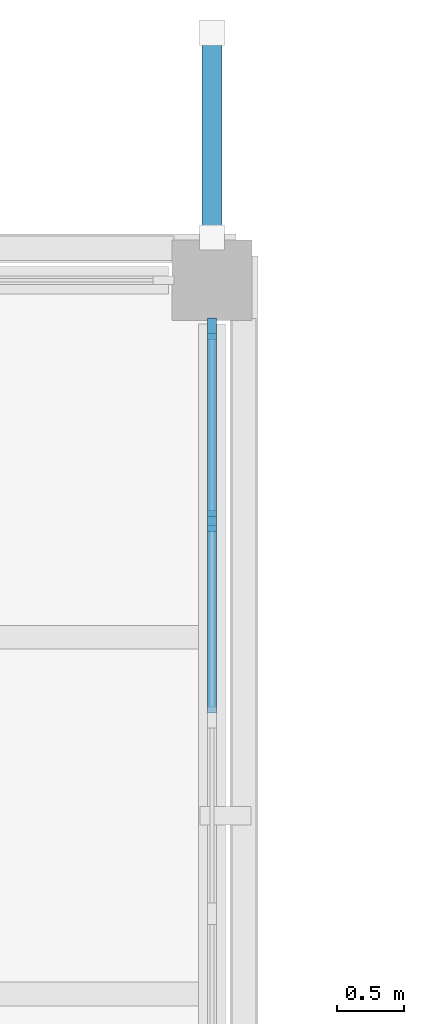
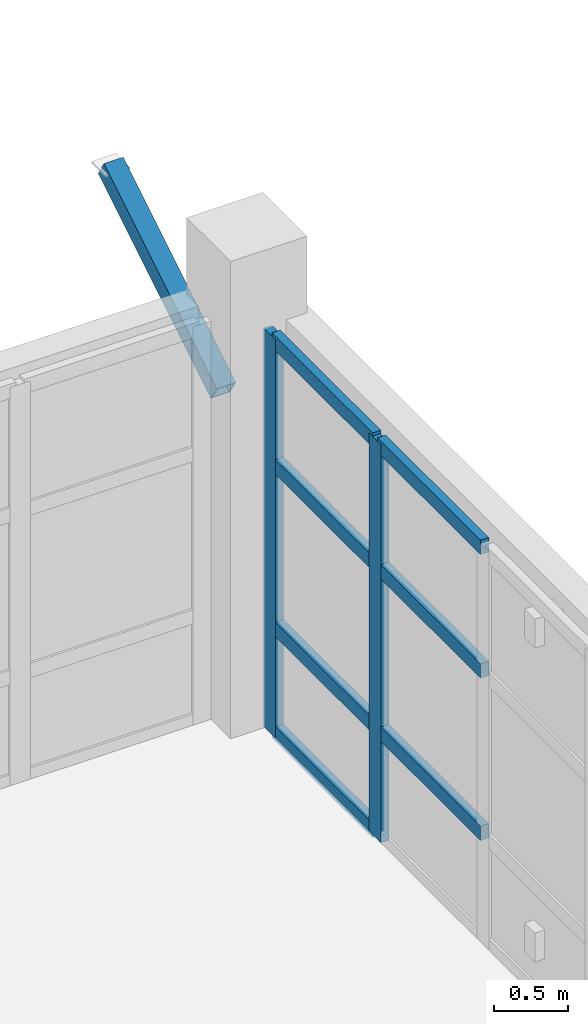
# One storey, part 8 of 35: 10 members, 1 element without a shape of its own.
"""IFC4 building model written with IfcOpenShell, lengths in metres."""

from ifc_helpers import new_model, si_unit, derived_unit, direction, frame, origin, origin_2d, place, context, subcontext, project, spatial, rectangle, hollow_rectangle, extrude, material, layer, layer_set, material_profile, profile_set, type_object, element, aggregate, save


model = new_model("IFC4")

# Units and contexts
model_context = context("Model", 3, precision=1e-05, world=origin(), true_north=direction((0.0, 1.0)))
body_context = subcontext(model_context, "Body", "Model", "MODEL_VIEW")
ifc_project = project(units=[si_unit("LENGTHUNIT", "METRE"), si_unit("AREAUNIT", "SQUARE_METRE"), si_unit("VOLUMEUNIT", "CUBIC_METRE"), si_unit("PLANEANGLEUNIT", "RADIAN"), si_unit("MASSUNIT", "GRAM", prefix="KILO"), derived_unit("THERMALTRANSMITTANCEUNIT", [(si_unit("MASSUNIT", "GRAM", prefix="KILO"), 1), (si_unit("TIMEUNIT", "SECOND"), -3), (si_unit("THERMODYNAMICTEMPERATUREUNIT", "KELVIN"), -1)])], contexts=[model_context])

# Site, building, storey
site_placement = place(None, origin())
site = spatial("IfcSite", under=ifc_project, at=site_placement, CompositionType="ELEMENT")
building_placement = place(site_placement, origin())
building = spatial("IfcBuilding", under=site, at=building_placement, Name="Veyamyaing Civic Hall", CompositionType="ELEMENT")
storey_placement = place(building_placement, frame((0.0, 0.0, 21.780029296875)))
storey = spatial("IfcBuildingStorey", under=building, at=storey_placement, Name="L05", CompositionType="ELEMENT", Elevation=21.780029296875)

# Curtain wall, members
ifc_material_1 = material(Name="Anodised aluminium 6063-T6", Category="aluminium")
ifc_layer = layer(ifc_material_1, 0.159912109375, Name="Anodised aluminium 6063-T6")
ifc_layer_set = layer_set([ifc_layer], Name="Anodised aluminium 6063-T6")
curtain_wall_type = type_object("IfcCurtainWallType", Name="CW-09", PredefinedType="NOTDEFINED", material=ifc_layer_set)
curtain_wall_placement = place(storey_placement, origin())
curtain_wall = element("IfcCurtainWall", 1, at=curtain_wall_placement, inside=storey, type_object=curtain_wall_type, Name="Unitized curtain wall CW-09 L05 E 6.14", PredefinedType="NOTDEFINED")
ifc_material_profile_1 = material_profile(ifc_material_1, rectangle(XDim=0.06494140625, YDim=0.159912109375, at=origin_2d()), Name="ALU-MUL-65X160")
ifc_profile_set_1 = profile_set([ifc_material_profile_1], Name="Anodised aluminium 6063-T6")
member_type_1 = type_object("IfcMemberType", Name="CWM-01", PredefinedType="MULLION", material=ifc_profile_set_1)
member_1_placement = place(storey_placement, frame((48.0, 110.201904296875, 0.0), z_axis=(0.0, 0.0, 1.0), x_axis=(-1.0, 0.0, 0.0)))
member_1 = element("IfcMember", 2, at=member_1_placement, type_object=member_type_1, Name="CW-09 mullion 5", PredefinedType="MULLION", context=body_context, shape_type="SweptSolid", body=[
    extrude(rectangle(XDim=0.06494140625, YDim=0.159912109375, at=origin_2d()), origin(), (0.0, 0.0, 1.0), 3.304931640625),
])
member_2_placement = place(storey_placement, frame((48.0, 111.637451171875, 0.0), z_axis=(0.0, 0.0, 1.0), x_axis=(-1.0, 0.0, 0.0)))
member_2 = element("IfcMember", 3, at=member_2_placement, type_object=member_type_1, Name="CW-09 mullion 6", PredefinedType="MULLION", context=body_context, shape_type="SweptSolid", body=[
    extrude(rectangle(XDim=0.06494140625, YDim=0.159912109375, at=origin_2d()), origin(), (0.0, 0.0, 1.0), 3.304931640625),
])
ifc_material_profile_2 = material_profile(ifc_material_1, rectangle(XDim=0.06494140625, YDim=0.1201171875, at=origin_2d()), Name="ALU-TRN-65X120")
ifc_profile_set_2 = profile_set([ifc_material_profile_2], Name="Anodised aluminium 6063-T6")
member_type_2 = type_object("IfcMemberType", Name="CWT-01", PredefinedType="USERDEFINED", material=ifc_profile_set_2)
member_3_placement = place(storey_placement, frame((48.0, 108.7666015625, 0.89990234375), z_axis=(0.0, 1.0, 0.0), x_axis=(-1.0, 0.0, 0.0)))
member_3 = element("IfcMember", 4, at=member_3_placement, type_object=member_type_2, Name="CW-09 transom 4.2", ObjectType="TRANSOM", PredefinedType="USERDEFINED", context=body_context, shape_type="SweptSolid", body=[
    extrude(rectangle(XDim=0.06494140625, YDim=0.1201171875, at=origin_2d()), origin(), (0.0, 0.0, 1.0), 1.40283203125),
])
member_4_placement = place(storey_placement, frame((48.0, 108.7666015625, 2.247314453125), z_axis=(0.0, 1.0, 0.0), x_axis=(-1.0, 0.0, 0.0)))
member_4 = element("IfcMember", 5, at=member_4_placement, type_object=member_type_2, Name="CW-09 transom 4.3", ObjectType="TRANSOM", PredefinedType="USERDEFINED", context=body_context, shape_type="SweptSolid", body=[
    extrude(rectangle(XDim=0.06494140625, YDim=0.1201171875, at=origin_2d()), origin(), (0.0, 0.0, 1.0), 1.40283203125),
])
member_5_placement = place(storey_placement, frame((48.0, 108.7666015625, 3.2724609375), z_axis=(0.0, 1.0, 0.0), x_axis=(-1.0, 0.0, 0.0)))
member_5 = element("IfcMember", 6, at=member_5_placement, type_object=member_type_2, Name="CW-09 transom 4.4", ObjectType="TRANSOM", PredefinedType="USERDEFINED", context=body_context, shape_type="SweptSolid", body=[
    extrude(rectangle(XDim=0.06494140625, YDim=0.1201171875, at=origin_2d()), origin(), (0.0, 0.0, 1.0), 1.40283203125),
])
member_6_placement = place(storey_placement, frame((48.0, 110.234619140625, 0.032470703125), z_axis=(0.0, 1.0, 0.0), x_axis=(-1.0, 0.0, 0.0)))
member_6 = element("IfcMember", 7, at=member_6_placement, type_object=member_type_2, Name="CW-09 transom 5.1", ObjectType="TRANSOM", PredefinedType="USERDEFINED", context=body_context, shape_type="SweptSolid", body=[
    extrude(rectangle(XDim=0.06494140625, YDim=0.1201171875, at=origin_2d()), origin(), (0.0, 0.0, 1.0), 1.370361328125),
])
member_7_placement = place(storey_placement, frame((48.0, 110.234619140625, 0.89990234375), z_axis=(0.0, 1.0, 0.0), x_axis=(-1.0, 0.0, 0.0)))
member_7 = element("IfcMember", 8, at=member_7_placement, type_object=member_type_2, Name="CW-09 transom 5.2", ObjectType="TRANSOM", PredefinedType="USERDEFINED", context=body_context, shape_type="SweptSolid", body=[
    extrude(rectangle(XDim=0.06494140625, YDim=0.1201171875, at=origin_2d()), origin(), (0.0, 0.0, 1.0), 1.370361328125),
])
member_8_placement = place(storey_placement, frame((48.0, 110.234619140625, 2.247314453125), z_axis=(0.0, 1.0, 0.0), x_axis=(-1.0, 0.0, 0.0)))
member_8 = element("IfcMember", 9, at=member_8_placement, type_object=member_type_2, Name="CW-09 transom 5.3", ObjectType="TRANSOM", PredefinedType="USERDEFINED", context=body_context, shape_type="SweptSolid", body=[
    extrude(rectangle(XDim=0.06494140625, YDim=0.1201171875, at=origin_2d()), origin(), (0.0, 0.0, 1.0), 1.370361328125),
])
member_9_placement = place(storey_placement, frame((48.0, 110.234619140625, 3.2724609375), z_axis=(0.0, 1.0, 0.0), x_axis=(-1.0, 0.0, 0.0)))
member_9 = element("IfcMember", 10, at=member_9_placement, type_object=member_type_2, Name="CW-09 transom 5.4", ObjectType="TRANSOM", PredefinedType="USERDEFINED", context=body_context, shape_type="SweptSolid", body=[
    extrude(rectangle(XDim=0.06494140625, YDim=0.1201171875, at=origin_2d()), origin(), (0.0, 0.0, 1.0), 1.370361328125),
])
aggregate(curtain_wall, [member_1, member_2, member_3, member_4, member_5, member_6, member_7, member_8, member_9])

# Member
ifc_material_2 = material(Name="Steel S355J2", Category="steel")
ifc_material_profile_3 = material_profile(ifc_material_2, hollow_rectangle(XDim=0.152099609375, YDim=0.152099609375, WallThickness=0.009521484375, at=origin_2d()), Name="HSS152X152X9.5")
ifc_profile_set_3 = profile_set([ifc_material_profile_3], Name="Steel S355J2")
member_type_3 = type_object("IfcMemberType", Name="SR-01", PredefinedType="STRUT", material=ifc_profile_set_3)
member_10_placement = place(storey_placement, frame((48.0, 112.320068359375, 2.409912109375), z_axis=(0.0, 0.852059527287, 0.523444898685), x_axis=(-1.0, 0.0, 0.0)))
element("IfcMember", 11, at=member_10_placement, inside=storey, type_object=member_type_3, Name="Sacak diagonal steel eave strut SR-01 V4-NW.6", PredefinedType="STRUT", context=body_context, shape_type="SweptSolid", body=[
    extrude(hollow_rectangle(XDim=0.152099609375, YDim=0.152099609375, WallThickness=0.009521484375, at=origin_2d()), origin(), (0.0, 0.0, 1.0), 1.795654296875),
])

save(model, "model.ifc")
